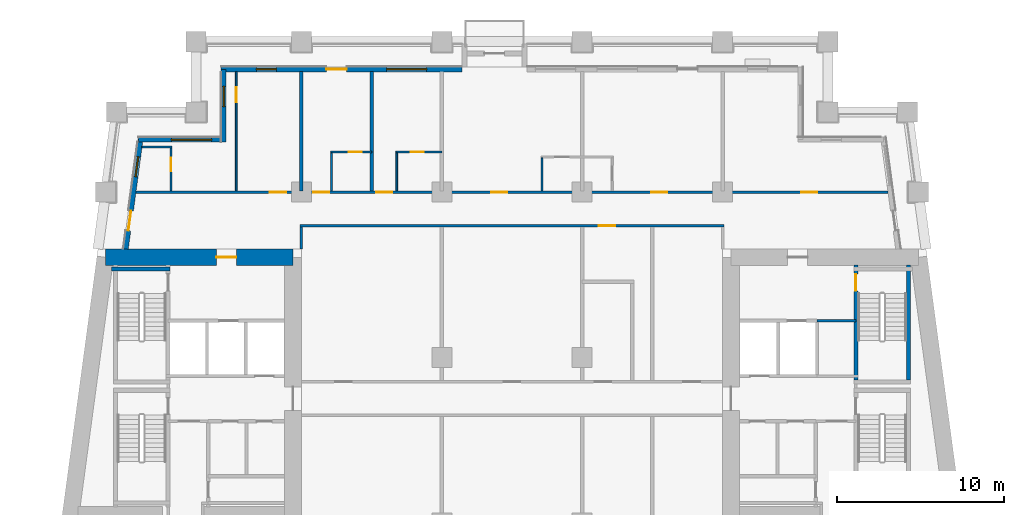
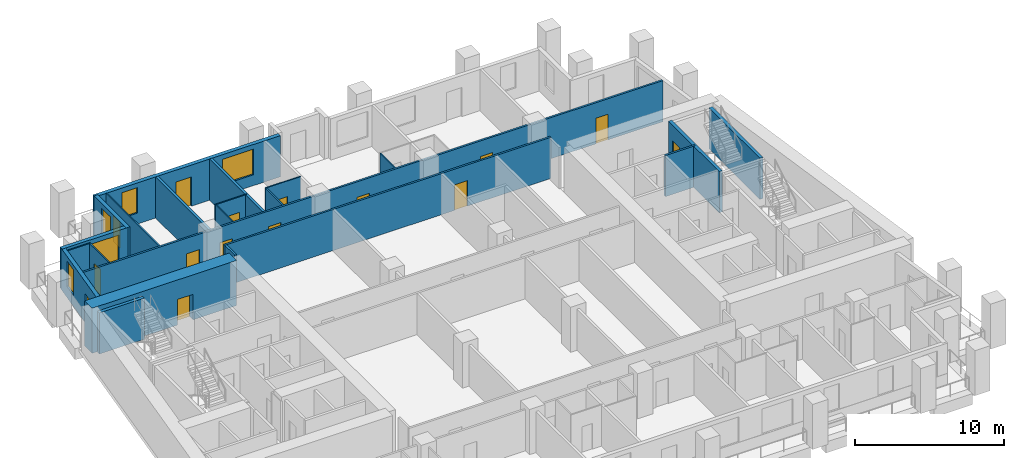
# One storey, part 6 of 13: 22 walls, 15 doors, 5 windows, 20 openings.
"""IFC4 building model written with IfcOpenShell, lengths in metres."""

from ifc_helpers import new_model, si_unit, direction, frame, frame_2d, origin, place, context, subcontext, project, spatial, rectangle, extrude, material, layer, layer_set, type_object, element, fill, save


model = new_model("IFC4")

# Units and contexts
model_context = context("Model", 3, precision=1e-05, world=origin(), true_north=direction((0.0, 1.0)))
body_context = subcontext(model_context, "Body", "Model", "MODEL_VIEW")
ifc_project = project(units=[si_unit("LENGTHUNIT", "METRE"), si_unit("AREAUNIT", "SQUARE_METRE"), si_unit("VOLUMEUNIT", "CUBIC_METRE"), si_unit("PLANEANGLEUNIT", "RADIAN"), si_unit("MASSUNIT", "GRAM", prefix="KILO")], contexts=[model_context])

# Site, building, storey
site_placement = place(None, origin())
site = spatial("IfcSite", under=ifc_project, at=site_placement, CompositionType="ELEMENT")
building_placement = place(site_placement, origin())
building = spatial("IfcBuilding", under=site, at=building_placement, Name="Candeia Pilgrim Tower and Theatre", CompositionType="ELEMENT")
storey_placement = place(building_placement, frame((0.0, 0.0, 128.0)))
storey = spatial("IfcBuildingStorey", under=building, at=storey_placement, Name="L30", CompositionType="ELEMENT", Elevation=128.0)

# Wall, opening, door
ifc_material_1 = material(Name="Concrete C70/85", Category="concrete")
ifc_layer_1 = layer(ifc_material_1, 1.0)
ifc_layer_set_1 = layer_set([ifc_layer_1], Name="Core wall 1000 C70/85")
wall_type_1 = type_object("IfcWallType", Name="Core wall 1000 C70/85", PredefinedType="SHEAR", material=ifc_layer_set_1)
wall_1_placement = place(storey_placement, frame((89.06787109375, 131.89990234375, 0.0), z_axis=(0.0, 0.0, 1.0), x_axis=(1.0, 0.0, 0.0)))
wall_1 = element("IfcWall", 1, at=wall_1_placement, inside=storey, type_object=wall_type_1, Name="Core wall W1", PredefinedType="SHEAR", context=body_context, shape_type="SweptSolid", body=[
    extrude(rectangle(XDim=11.232177734375, YDim=1.0, at=frame_2d((5.6162109375, 0.0))), origin(), (0.0, 0.0, 1.0), 3.699951171875),
])
opening_1_placement = place(wall_1_placement, frame((6.6455078125, 0.0, 0.0)))
opening_1 = element("IfcOpeningElement", 2, at=opening_1_placement, cuts=wall_1, Name="Opening L30-D057", PredefinedType="OPENING", context=body_context, shape_type="SweptSolid", body=[
    extrude(rectangle(XDim=1.199951171875, YDim=2.10009765625, at=frame_2d((0.60009765625, 1.050048828125))), frame((0.0, 0.510009765625, 0.0), z_axis=(0.0, -1.0, 0.0), x_axis=(1.0, 0.0, 0.0)), (0.0, 0.0, 1.0), 1.02001953125),
])
ifc_material_2 = material(Name="Steel fire door set", Category="steel")
door_type_1 = type_object("IfcDoorType", Name="D-1200-FD60", OperationType="NOTDEFINED", PredefinedType="DOOR", material=ifc_material_2)
door_1_placement = place(opening_1_placement, origin())
door_1 = element("IfcDoor", 3, at=door_1_placement, inside=storey, type_object=door_type_1, Name="Door L30-D057", OperationType="SINGLE_SWING_LEFT", OverallHeight=2.10009765625, OverallWidth=1.199951171875, PredefinedType="DOOR", context=body_context, shape_type="SweptSolid", body=[
    extrude(rectangle(XDim=1.199951171875, YDim=2.10009765625, at=frame_2d((0.60009765625, 1.050048828125))), frame((0.0, 0.02490234375, 0.0), z_axis=(0.0, -1.0, 0.0), x_axis=(1.0, 0.0, 0.0)), (0.0, 0.0, 1.0), 0.050048828125),
])
fill(opening_1, door_1)

# Wall, openings, door, windows
ifc_material_3 = material(Name="Ceramic block masonry", Category="masonry")
ifc_layer_2 = layer(ifc_material_3, 0.300048828125)
ifc_layer_set_2 = layer_set([ifc_layer_2], Name="EW1 glazing-line wall 300")
wall_type_2 = type_object("IfcWallType", Name="EW1 glazing-line wall 300", PredefinedType="SOLIDWALL", material=ifc_layer_set_2)
wall_2_placement = place(storey_placement, frame((110.39990234375, 143.14990234375, 0.0), z_axis=(0.0, 0.0, 1.0), x_axis=(-1.0, 0.0, 0.0)))
wall_2 = element("IfcWall", 4, at=wall_2_placement, inside=storey, type_object=wall_type_2, Name="External wall L30-6.1", PredefinedType="SOLIDWALL", context=body_context, shape_type="SweptSolid", body=[
    extrude(rectangle(XDim=14.39990234375, YDim=0.300048828125, at=frame_2d((7.199951171875, 0.0))), origin(), (0.0, 0.0, 1.0), 3.3798828125),
])
opening_2_placement = place(wall_2_placement, frame((2.10009765625, 0.0, 0.89990234375)))
opening_2 = element("IfcOpeningElement", 5, at=opening_2_placement, cuts=wall_2, Name="Opening W-A", PredefinedType="OPENING", context=body_context, shape_type="SweptSolid", body=[
    extrude(rectangle(XDim=2.39990234375, YDim=2.10009765625, at=frame_2d((1.199951171875, 1.050048828125))), frame((0.0, 0.16015625, 0.0), z_axis=(0.0, -1.0, 0.0), x_axis=(1.0, 0.0, 0.0)), (0.0, 0.0, 1.0), 0.320068359375),
])
opening_3_placement = place(wall_2_placement, frame((6.89990234375, 0.0, 0.0)))
opening_3 = element("IfcOpeningElement", 6, at=opening_3_placement, cuts=wall_2, Name="Opening L30-ED305", PredefinedType="OPENING", context=body_context, shape_type="SweptSolid", body=[
    extrude(rectangle(XDim=1.199951171875, YDim=2.39990234375, at=frame_2d((0.60009765625, 1.199951171875))), frame((0.0, 0.16015625, 0.0), z_axis=(0.0, -1.0, 0.0), x_axis=(1.0, 0.0, 0.0)), (0.0, 0.0, 1.0), 0.320068359375),
])
opening_4_placement = place(wall_2_placement, frame((11.10009765625, 0.0, 0.89990234375)))
opening_4 = element("IfcOpeningElement", 7, at=opening_4_placement, cuts=wall_2, Name="Opening W-B", PredefinedType="OPENING", context=body_context, shape_type="SweptSolid", body=[
    extrude(rectangle(XDim=1.199951171875, YDim=2.10009765625, at=frame_2d((0.60009765625, 1.050048828125))), frame((0.0, 0.16015625, 0.0), z_axis=(0.0, -1.0, 0.0), x_axis=(1.0, 0.0, 0.0)), (0.0, 0.0, 1.0), 0.320068359375),
])
ifc_material_4 = material(Name="Aluminium framed glazed door", Category="aluminium")
door_type_2 = type_object("IfcDoorType", Name="Loggia door 1200x2400", OperationType="DOUBLE_DOOR_SINGLE_SWING", PredefinedType="DOOR", material=ifc_material_4)
door_2_placement = place(opening_3_placement, origin())
door_2 = element("IfcDoor", 8, at=door_2_placement, inside=storey, type_object=door_type_2, Name="Loggia door L30-ED305", OperationType="DOUBLE_DOOR_SINGLE_SWING", OverallHeight=2.39990234375, OverallWidth=1.199951171875, PredefinedType="DOOR", context=body_context, shape_type="SweptSolid", body=[
    extrude(rectangle(XDim=1.199951171875, YDim=2.39990234375, at=frame_2d((0.60009765625, 1.199951171875))), frame((0.0, 0.02490234375, 0.0), z_axis=(0.0, -1.0, 0.0), x_axis=(1.0, 0.0, 0.0)), (0.0, 0.0, 1.0), 0.050048828125),
])
fill(opening_3, door_2)
ifc_material_5 = material(Name="Aluminium framed double glazing", Category="aluminium")
window_type_1 = type_object("IfcWindowType", Name="W-A window 2400x2100", PartitioningType="DOUBLE_PANEL_VERTICAL", PredefinedType="WINDOW", material=ifc_material_5)
window_1_placement = place(opening_2_placement, origin())
window_1 = element("IfcWindow", 9, at=window_1_placement, inside=storey, type_object=window_type_1, Name="Window W-A L30", OverallHeight=2.10009765625, OverallWidth=2.39990234375, PartitioningType="SINGLE_PANEL", PredefinedType="WINDOW", context=body_context, shape_type="SweptSolid", body=[
    extrude(rectangle(XDim=2.39990234375, YDim=2.10009765625, at=frame_2d((1.199951171875, 1.050048828125))), frame((0.0, 0.030029296875, 0.0), z_axis=(0.0, -1.0, 0.0), x_axis=(1.0, 0.0, 0.0)), (0.0, 0.0, 1.0), 0.06005859375),
])
fill(opening_2, window_1)
window_type_2 = type_object("IfcWindowType", Name="W-B window 1200x2100", PartitioningType="SINGLE_PANEL", PredefinedType="WINDOW", material=ifc_material_5)
window_2_placement = place(opening_4_placement, origin())
window_2 = element("IfcWindow", 10, at=window_2_placement, inside=storey, type_object=window_type_2, Name="Window W-B L30", OverallHeight=2.10009765625, OverallWidth=1.199951171875, PartitioningType="SINGLE_PANEL", PredefinedType="WINDOW", context=body_context, shape_type="SweptSolid", body=[
    extrude(rectangle(XDim=1.199951171875, YDim=2.10009765625, at=frame_2d((0.60009765625, 1.050048828125))), frame((0.0, 0.030029296875, 0.0), z_axis=(0.0, -1.0, 0.0), x_axis=(1.0, 0.0, 0.0)), (0.0, 0.0, 1.0), 0.06005859375),
])
fill(opening_4, window_2)

# Wall, opening, window
wall_3_placement = place(storey_placement, frame((96.14990234375, 143.14990234375, 0.0), z_axis=(0.0, 0.0, 1.0), x_axis=(0.0, -1.0, 0.0)))
wall_3 = element("IfcWall", 11, at=wall_3_placement, inside=storey, type_object=wall_type_2, Name="External wall L30-7.0", PredefinedType="SOLIDWALL", context=body_context, shape_type="SweptSolid", body=[
    extrude(rectangle(XDim=4.349853515625, YDim=0.300048828125, at=frame_2d((2.1748046875, 0.0))), origin(), (0.0, 0.0, 1.0), 3.3798828125),
])
opening_5_placement = place(wall_3_placement, frame((1.02490234375, 0.0, 0.89990234375)))
opening_5 = element("IfcOpeningElement", 12, at=opening_5_placement, cuts=wall_3, Name="Opening W-B", PredefinedType="OPENING", context=body_context, shape_type="SweptSolid", body=[
    extrude(rectangle(XDim=1.199951171875, YDim=2.10009765625, at=frame_2d((0.60009765625, 1.050048828125))), frame((0.0, 0.16015625, 0.0), z_axis=(0.0, -1.0, 0.0), x_axis=(1.0, 0.0, 0.0)), (0.0, 0.0, 1.0), 0.320068359375),
])
window_3_placement = place(opening_5_placement, origin())
window_3 = element("IfcWindow", 13, at=window_3_placement, inside=storey, type_object=window_type_2, Name="Window W-B L30", OverallHeight=2.10009765625, OverallWidth=1.199951171875, PartitioningType="SINGLE_PANEL", PredefinedType="WINDOW", context=body_context, shape_type="SweptSolid", body=[
    extrude(rectangle(XDim=1.199951171875, YDim=2.10009765625, at=frame_2d((0.60009765625, 1.050048828125))), frame((0.0, 0.030029296875, 0.0), z_axis=(0.0, -1.0, 0.0), x_axis=(1.0, 0.0, 0.0)), (0.0, 0.0, 1.0), 0.06005859375),
])
fill(opening_5, window_3)

wall_4_placement = place(storey_placement, frame((96.14990234375, 138.949951171875, 0.0), z_axis=(0.0, 0.0, 1.0), x_axis=(-1.0, 0.0, 0.0)))
wall_4 = element("IfcWall", 14, at=wall_4_placement, inside=storey, type_object=wall_type_2, Name="External wall L30-8.0", PredefinedType="SOLIDWALL", context=body_context, shape_type="SweptSolid", body=[
    extrude(rectangle(XDim=5.103759765625, YDim=0.300048828125, at=frame_2d((2.5517578125, 0.0))), origin(), (0.0, 0.0, 1.0), 3.3798828125),
])
opening_6_placement = place(wall_4_placement, frame((0.72509765625, 0.0, 0.89990234375)))
opening_6 = element("IfcOpeningElement", 15, at=opening_6_placement, cuts=wall_4, Name="Opening W-A", PredefinedType="OPENING", context=body_context, shape_type="SweptSolid", body=[
    extrude(rectangle(XDim=2.39990234375, YDim=2.10009765625, at=frame_2d((1.199951171875, 1.050048828125))), frame((0.0, 0.16015625, 0.0), z_axis=(0.0, -1.0, 0.0), x_axis=(1.0, 0.0, 0.0)), (0.0, 0.0, 1.0), 0.320068359375),
])
window_4_placement = place(opening_6_placement, origin())
window_4 = element("IfcWindow", 16, at=window_4_placement, inside=storey, type_object=window_type_1, Name="Window W-A L30", OverallHeight=2.10009765625, OverallWidth=2.39990234375, PartitioningType="SINGLE_PANEL", PredefinedType="WINDOW", context=body_context, shape_type="SweptSolid", body=[
    extrude(rectangle(XDim=2.39990234375, YDim=2.10009765625, at=frame_2d((1.199951171875, 1.050048828125))), frame((0.0, 0.030029296875, 0.0), z_axis=(0.0, -1.0, 0.0), x_axis=(1.0, 0.0, 0.0)), (0.0, 0.0, 1.0), 0.06005859375),
])
fill(opening_6, window_4)

# Wall, openings, door, window
wall_5_placement = place(storey_placement, frame((91.177490234375, 138.949951171875, 0.0), z_axis=(0.0, 0.0, 1.0), x_axis=(-0.133426664613, -0.991058689065, 0.0)))
wall_5 = element("IfcWall", 17, at=wall_5_placement, inside=storey, type_object=wall_type_2, Name="External wall L30-9.0", PredefinedType="SOLIDWALL", context=body_context, shape_type="SweptSolid", body=[
    extrude(rectangle(XDim=6.609130859375, YDim=0.300048828125, at=frame_2d((3.3046875, 0.0))), origin(), (0.0, 0.0, 1.0), 3.3798828125),
])
opening_7_placement = place(wall_5_placement, frame((1.039306640625, 0.0, 0.89990234375)))
opening_7 = element("IfcOpeningElement", 18, at=opening_7_placement, cuts=wall_5, Name="Opening W-B", PredefinedType="OPENING", context=body_context, shape_type="SweptSolid", body=[
    extrude(rectangle(XDim=1.199951171875, YDim=2.10009765625, at=frame_2d((0.60009765625, 1.050048828125))), frame((0.0, 0.16015625, 0.0), z_axis=(0.0, -1.0, 0.0), x_axis=(1.0, 0.0, 0.0)), (0.0, 0.0, 1.0), 0.320068359375),
])
opening_8_placement = place(wall_5_placement, frame((4.293701171875, 0.0, 0.0)))
opening_8 = element("IfcOpeningElement", 19, at=opening_8_placement, cuts=wall_5, Name="Opening L30-ED307", PredefinedType="OPENING", context=body_context, shape_type="SweptSolid", body=[
    extrude(rectangle(XDim=1.199951171875, YDim=2.39990234375, at=frame_2d((0.60009765625, 1.199951171875))), frame((0.0, 0.16015625, 0.0), z_axis=(0.0, -1.0, 0.0), x_axis=(1.0, 0.0, 0.0)), (0.0, 0.0, 1.0), 0.320068359375),
])
door_3_placement = place(opening_8_placement, origin())
door_3 = element("IfcDoor", 20, at=door_3_placement, inside=storey, type_object=door_type_2, Name="Loggia door L30-ED307", OperationType="DOUBLE_DOOR_SINGLE_SWING", OverallHeight=2.39990234375, OverallWidth=1.199951171875, PredefinedType="DOOR", context=body_context, shape_type="SweptSolid", body=[
    extrude(rectangle(XDim=1.199951171875, YDim=2.39990234375, at=frame_2d((0.60009765625, 1.199951171875))), frame((0.0, 0.02490234375, 0.0), z_axis=(0.0, -1.0, 0.0), x_axis=(1.0, 0.0, 0.0)), (0.0, 0.0, 1.0), 0.050048828125),
])
fill(opening_8, door_3)
window_5_placement = place(opening_7_placement, origin())
window_5 = element("IfcWindow", 21, at=window_5_placement, inside=storey, type_object=window_type_2, Name="Window W-B L30", OverallHeight=2.10009765625, OverallWidth=1.199951171875, PartitioningType="SINGLE_PANEL", PredefinedType="WINDOW", context=body_context, shape_type="SweptSolid", body=[
    extrude(rectangle(XDim=1.199951171875, YDim=2.10009765625, at=frame_2d((0.60009765625, 1.050048828125))), frame((0.0, 0.030029296875, 0.0), z_axis=(0.0, -1.0, 0.0), x_axis=(1.0, 0.0, 0.0)), (0.0, 0.0, 1.0), 0.06005859375),
])
fill(opening_7, window_5)

# Wall, opening, door
ifc_material_6 = material(Name="Gypsum board partition on steel studs", Category="steel")
ifc_layer_3 = layer(ifc_material_6, 0.10009765625)
ifc_layer_set_3 = layer_set([ifc_layer_3], Name="PW-100 room partition")
wall_type_3 = type_object("IfcWallType", Name="PW-100 room partition", PredefinedType="PARTITIONING", material=ifc_layer_set_3)
wall_6_placement = place(storey_placement, frame((102.550048828125, 138.199951171875, 0.0), z_axis=(0.0, 0.0, 1.0), x_axis=(1.0, 0.0, 0.0)))
wall_6 = element("IfcWall", 22, at=wall_6_placement, inside=storey, type_object=wall_type_3, Name="Room partition L30-045", PredefinedType="PARTITIONING", context=body_context, shape_type="SweptSolid", body=[
    extrude(rectangle(XDim=2.449951171875, YDim=0.10009765625, at=frame_2d((1.22509765625, 0.0))), origin(), (0.0, 0.0, 1.0), 3.3798828125),
])
opening_9_placement = place(wall_6_placement, frame((1.074951171875, 0.0, 0.0)))
opening_9 = element("IfcOpeningElement", 23, at=opening_9_placement, cuts=wall_6, Name="Opening L30-D039", PredefinedType="OPENING", context=body_context, shape_type="SweptSolid", body=[
    extrude(rectangle(XDim=0.800048828125, YDim=2.10009765625, at=frame_2d((0.39990234375, 1.050048828125))), frame((0.0, 0.06005859375, 0.0), z_axis=(0.0, -1.0, 0.0), x_axis=(1.0, 0.0, 0.0)), (0.0, 0.0, 1.0), 0.1201171875),
])
ifc_material_7 = material(Name="Timber door leaf", Category="wood")
door_type_3 = type_object("IfcDoorType", Name="D-800", OperationType="NOTDEFINED", PredefinedType="DOOR", material=ifc_material_7)
door_4_placement = place(opening_9_placement, origin())
door_4 = element("IfcDoor", 24, at=door_4_placement, inside=storey, type_object=door_type_3, Name="Door L30-D039", OperationType="SINGLE_SWING_LEFT", OverallHeight=2.10009765625, OverallWidth=0.800048828125, PredefinedType="DOOR", context=body_context, shape_type="SweptSolid", body=[
    extrude(rectangle(XDim=0.800048828125, YDim=2.10009765625, at=frame_2d((0.39990234375, 1.050048828125))), frame((0.0, 0.02490234375, 0.0), z_axis=(0.0, -1.0, 0.0), x_axis=(1.0, 0.0, 0.0)), (0.0, 0.0, 1.0), 0.050048828125),
])
fill(opening_9, door_4)

wall_7_placement = place(storey_placement, frame((106.449951171875, 138.199951171875, 0.0), z_axis=(0.0, 0.0, 1.0), x_axis=(1.0, 0.0, 0.0)))
wall_7 = element("IfcWall", 25, at=wall_7_placement, inside=storey, type_object=wall_type_3, Name="Room partition L30-046", PredefinedType="PARTITIONING", context=body_context, shape_type="SweptSolid", body=[
    extrude(rectangle(XDim=2.75, YDim=0.10009765625, at=frame_2d((1.375, 0.0))), origin(), (0.0, 0.0, 1.0), 3.3798828125),
])
opening_10_placement = place(wall_7_placement, frame((0.8798828125, 0.0, 0.0)))
opening_10 = element("IfcOpeningElement", 26, at=opening_10_placement, cuts=wall_7, Name="Opening L30-D041", PredefinedType="OPENING", context=body_context, shape_type="SweptSolid", body=[
    extrude(rectangle(XDim=0.800048828125, YDim=2.10009765625, at=frame_2d((0.39990234375, 1.050048828125))), frame((0.0, 0.06005859375, 0.0), z_axis=(0.0, -1.0, 0.0), x_axis=(1.0, 0.0, 0.0)), (0.0, 0.0, 1.0), 0.1201171875),
])
door_5_placement = place(opening_10_placement, origin())
door_5 = element("IfcDoor", 27, at=door_5_placement, inside=storey, type_object=door_type_3, Name="Door L30-D041", OperationType="SINGLE_SWING_LEFT", OverallHeight=2.10009765625, OverallWidth=0.800048828125, PredefinedType="DOOR", context=body_context, shape_type="SweptSolid", body=[
    extrude(rectangle(XDim=0.800048828125, YDim=2.10009765625, at=frame_2d((0.39990234375, 1.050048828125))), frame((0.0, 0.02490234375, 0.0), z_axis=(0.0, -1.0, 0.0), x_axis=(1.0, 0.0, 0.0)), (0.0, 0.0, 1.0), 0.050048828125),
])
fill(opening_10, door_5)

# Wall
wall_8_placement = place(storey_placement, frame((91.258056640625, 138.5, 0.0), z_axis=(0.0, 0.0, 1.0), x_axis=(1.0, 0.0, 0.0)))
element("IfcWall", 28, at=wall_8_placement, inside=storey, type_object=wall_type_3, Name="Room partition L30-047", PredefinedType="PARTITIONING", context=body_context, shape_type="SweptSolid", body=[
    extrude(rectangle(XDim=1.7919921875, YDim=0.10009765625, at=frame_2d((0.89599609375, 0.0))), origin(), (0.0, 0.0, 1.0), 3.3798828125),
])

# Wall, opening, door
wall_9_placement = place(storey_placement, frame((93.0, 135.875, 0.0), z_axis=(0.0, 0.0, 1.0), x_axis=(0.0, 1.0, 0.0)))
wall_9 = element("IfcWall", 29, at=wall_9_placement, inside=storey, type_object=wall_type_3, Name="Room partition L30-060", PredefinedType="PARTITIONING", context=body_context, shape_type="SweptSolid", body=[
    extrude(rectangle(XDim=2.574951171875, YDim=0.10009765625, at=frame_2d((1.28759765625, 0.0))), origin(), (0.0, 0.0, 1.0), 3.3798828125),
])
opening_11_placement = place(wall_9_placement, frame((1.175048828125, 0.0, 0.0)))
opening_11 = element("IfcOpeningElement", 30, at=opening_11_placement, cuts=wall_9, Name="Opening L30-D037", PredefinedType="OPENING", context=body_context, shape_type="SweptSolid", body=[
    extrude(rectangle(XDim=0.800048828125, YDim=2.10009765625, at=frame_2d((0.39990234375, 1.050048828125))), frame((0.0, 0.06005859375, 0.0), z_axis=(0.0, -1.0, 0.0), x_axis=(1.0, 0.0, 0.0)), (0.0, 0.0, 1.0), 0.1201171875),
])
door_6_placement = place(opening_11_placement, origin())
door_6 = element("IfcDoor", 31, at=door_6_placement, inside=storey, type_object=door_type_3, Name="Door L30-D037", OperationType="SINGLE_SWING_LEFT", OverallHeight=2.10009765625, OverallWidth=0.800048828125, PredefinedType="DOOR", context=body_context, shape_type="SweptSolid", body=[
    extrude(rectangle(XDim=0.800048828125, YDim=2.10009765625, at=frame_2d((0.39990234375, 1.050048828125))), frame((0.0, 0.02490234375, 0.0), z_axis=(0.0, -1.0, 0.0), x_axis=(1.0, 0.0, 0.0)), (0.0, 0.0, 1.0), 0.050048828125),
])
fill(opening_11, door_6)

wall_10_placement = place(storey_placement, frame((96.89990234375, 135.875, 0.0), z_axis=(0.0, 0.0, 1.0), x_axis=(0.0, 1.0, 0.0)))
wall_10 = element("IfcWall", 32, at=wall_10_placement, inside=storey, type_object=wall_type_3, Name="Room partition L30-066", PredefinedType="PARTITIONING", context=body_context, shape_type="SweptSolid", body=[
    extrude(rectangle(XDim=7.135009765625, YDim=0.10009765625, at=frame_2d((3.5673828125, 0.0))), origin(), (0.0, 0.0, 1.0), 3.3798828125),
])
opening_12_placement = place(wall_10_placement, frame((5.2900390625, 0.0, 0.0)))
opening_12 = element("IfcOpeningElement", 33, at=opening_12_placement, cuts=wall_10, Name="Opening L30-D036", PredefinedType="OPENING", context=body_context, shape_type="SweptSolid", body=[
    extrude(rectangle(XDim=0.89990234375, YDim=2.10009765625, at=frame_2d((0.449951171875, 1.050048828125))), frame((0.0, 0.06005859375, 0.0), z_axis=(0.0, -1.0, 0.0), x_axis=(1.0, 0.0, 0.0)), (0.0, 0.0, 1.0), 0.1201171875),
])
door_type_4 = type_object("IfcDoorType", Name="D-900", OperationType="NOTDEFINED", PredefinedType="DOOR", material=ifc_material_7)
door_7_placement = place(opening_12_placement, origin())
door_7 = element("IfcDoor", 34, at=door_7_placement, inside=storey, type_object=door_type_4, Name="Door L30-D036", OperationType="SINGLE_SWING_RIGHT", OverallHeight=2.10009765625, OverallWidth=0.89990234375, PredefinedType="DOOR", context=body_context, shape_type="SweptSolid", body=[
    extrude(rectangle(XDim=0.89990234375, YDim=2.10009765625, at=frame_2d((0.449951171875, 1.050048828125))), frame((0.0, 0.02490234375, 0.0), z_axis=(0.0, -1.0, 0.0), x_axis=(1.0, 0.0, 0.0)), (0.0, 0.0, 1.0), 0.050048828125),
])
fill(opening_12, door_7)

# Walls
for number, where, z_axis, x_axis, name in (
    (35, (102.60009765625, 135.875, 0.0), (0.0, 0.0, 1.0), (0.0, 1.0, 0.0), "Room partition L30-075"),
    (36, (106.5, 135.875, 0.0), (0.0, 0.0, 1.0), (0.0, 1.0, 0.0), "Room partition L30-077"),
):
    element("IfcWall", number, at=place(storey_placement, frame(where, z_axis=z_axis, x_axis=x_axis)), inside=storey, type_object=wall_type_3, Name=name, PredefinedType="PARTITIONING", context=body_context, shape_type="SweptSolid", body=[
        extrude(rectangle(XDim=2.27490234375, YDim=0.10009765625, at=frame_2d((1.137451171875, 0.0))), origin(), (0.0, 0.0, 1.0), 3.3798828125),
    ])
wall_11_placement = place(storey_placement, frame((115.199951171875, 135.875, 0.0), z_axis=(0.0, 0.0, 1.0), x_axis=(0.0, 1.0, 0.0)))
element("IfcWall", 37, at=wall_11_placement, inside=storey, type_object=wall_type_3, Name="Room partition L30-084", PredefinedType="PARTITIONING", context=body_context, shape_type="SweptSolid", body=[
    extrude(rectangle(XDim=1.97509765625, YDim=0.10009765625, at=frame_2d((0.987548828125, 0.0))), origin(), (0.0, 0.0, 1.0), 3.3798828125),
])
ifc_layer_4 = layer(ifc_material_6, 0.14990234375)
ifc_layer_set_4 = layer_set([ifc_layer_4], Name="PW-150 lobby wall")
wall_type_4 = type_object("IfcWallType", Name="PW-150 lobby wall", PredefinedType="PARTITIONING", material=ifc_layer_set_4)
wall_12_placement = place(storey_placement, frame((131.648681640625, 128.10009765625, 0.0), z_axis=(0.0, 0.0, 1.0), x_axis=(1.0, 0.0, 0.0)))
element("IfcWall", 38, at=wall_12_placement, inside=storey, type_object=wall_type_4, Name="Lobby wall L30-038", PredefinedType="PARTITIONING", context=body_context, shape_type="SweptSolid", body=[
    extrude(rectangle(XDim=2.32421875, YDim=0.14990234375, at=frame_2d((1.162109375, 0.0))), origin(), (0.0, 0.0, 1.0), 3.3798828125),
])

# Wall, opening, door
ifc_layer_5 = layer(ifc_material_6, 0.14990234375)
ifc_layer_set_5 = layer_set([ifc_layer_5], Name="PW-150 unit wall")
wall_type_5 = type_object("IfcWallType", Name="PW-150 unit wall", PredefinedType="PARTITIONING", material=ifc_layer_set_5)
wall_13_placement = place(storey_placement, frame((100.72509765625, 133.800048828125, 0.0), z_axis=(0.0, 0.0, 1.0), x_axis=(1.0, 0.0, 0.0)))
wall_13 = element("IfcWall", 39, at=wall_13_placement, inside=storey, type_object=wall_type_5, Name="Unit wall L30-042", PredefinedType="PARTITIONING", context=body_context, shape_type="SweptSolid", body=[
    extrude(rectangle(XDim=25.349853515625, YDim=0.14990234375, at=frame_2d((12.6748046875, 0.0))), origin(), (0.0, 0.0, 1.0), 3.3798828125),
])
opening_13_placement = place(wall_13_placement, frame((17.85009765625, 0.0, 0.0)))
opening_13 = element("IfcOpeningElement", 40, at=opening_13_placement, cuts=wall_13, Name="Opening L30-D047", PredefinedType="OPENING", context=body_context, shape_type="SweptSolid", body=[
    extrude(rectangle(XDim=1.0, YDim=2.10009765625, at=frame_2d((0.5, 1.050048828125))), frame((0.0, 0.0849609375, 0.0), z_axis=(0.0, -1.0, 0.0), x_axis=(1.0, 0.0, 0.0)), (0.0, 0.0, 1.0), 0.169921875),
])
door_type_5 = type_object("IfcDoorType", Name="D-1000-FD30S", OperationType="NOTDEFINED", PredefinedType="DOOR", material=ifc_material_2)
door_8_placement = place(opening_13_placement, origin())
door_8 = element("IfcDoor", 41, at=door_8_placement, inside=storey, type_object=door_type_5, Name="Door L30-D047", OperationType="SINGLE_SWING_LEFT", OverallHeight=2.10009765625, OverallWidth=1.0, PredefinedType="DOOR", context=body_context, shape_type="SweptSolid", body=[
    extrude(rectangle(XDim=1.0, YDim=2.10009765625, at=frame_2d((0.5, 1.050048828125))), frame((0.0, 0.02490234375, 0.0), z_axis=(0.0, -1.0, 0.0), x_axis=(1.0, 0.0, 0.0)), (0.0, 0.0, 1.0), 0.050048828125),
])
fill(opening_13, door_8)

# Wall, openings, doors
wall_14_placement = place(storey_placement, frame((90.89453125, 135.800048828125, 0.0), z_axis=(0.0, 0.0, 1.0), x_axis=(1.0, 0.0, 0.0)))
wall_14 = element("IfcWall", 42, at=wall_14_placement, inside=storey, type_object=wall_type_5, Name="Unit wall L30-043", PredefinedType="PARTITIONING", context=body_context, shape_type="SweptSolid", body=[
    extrude(rectangle(XDim=45.010986328125, YDim=0.14990234375, at=frame_2d((22.50537109375, 0.0))), origin(), (0.0, 0.0, 1.0), 3.3798828125),
])
opening_14_placement = place(wall_14_placement, frame((8.00537109375, 0.0, 0.0)))
opening_14 = element("IfcOpeningElement", 43, at=opening_14_placement, cuts=wall_14, Name="Opening L30-D035", PredefinedType="OPENING", context=body_context, shape_type="SweptSolid", body=[
    extrude(rectangle(XDim=1.0, YDim=2.10009765625, at=frame_2d((0.5, 1.050048828125))), frame((0.0, 0.0849609375, 0.0), z_axis=(0.0, -1.0, 0.0), x_axis=(1.0, 0.0, 0.0)), (0.0, 0.0, 1.0), 0.169921875),
])
opening_15_placement = place(wall_14_placement, frame((10.62548828125, 0.0, 0.0)))
opening_15 = element("IfcOpeningElement", 44, at=opening_15_placement, cuts=wall_14, Name="Opening L30-D038", PredefinedType="OPENING", context=body_context, shape_type="SweptSolid", body=[
    extrude(rectangle(XDim=0.949951171875, YDim=2.10009765625, at=frame_2d((0.47509765625, 1.050048828125))), frame((0.0, 0.0849609375, 0.0), z_axis=(0.0, -1.0, 0.0), x_axis=(1.0, 0.0, 0.0)), (0.0, 0.0, 1.0), 0.169921875),
])
opening_16_placement = place(wall_14_placement, frame((14.38037109375, 0.0, 0.0)))
opening_16 = element("IfcOpeningElement", 45, at=opening_16_placement, cuts=wall_14, Name="Opening L30-D040", PredefinedType="OPENING", context=body_context, shape_type="SweptSolid", body=[
    extrude(rectangle(XDim=0.949951171875, YDim=2.10009765625, at=frame_2d((0.47509765625, 1.050048828125))), frame((0.0, 0.0849609375, 0.0), z_axis=(0.0, -1.0, 0.0), x_axis=(1.0, 0.0, 0.0)), (0.0, 0.0, 1.0), 0.169921875),
])
opening_17_placement = place(wall_14_placement, frame((21.265380859375, 0.0, 0.0)))
opening_17 = element("IfcOpeningElement", 46, at=opening_17_placement, cuts=wall_14, Name="Opening L30-D042", PredefinedType="OPENING", context=body_context, shape_type="SweptSolid", body=[
    extrude(rectangle(XDim=0.949951171875, YDim=2.10009765625, at=frame_2d((0.47509765625, 1.050048828125))), frame((0.0, 0.0849609375, 0.0), z_axis=(0.0, -1.0, 0.0), x_axis=(1.0, 0.0, 0.0)), (0.0, 0.0, 1.0), 0.169921875),
])
opening_18_placement = place(wall_14_placement, frame((30.83544921875, 0.0, 0.0)))
opening_18 = element("IfcOpeningElement", 47, at=opening_18_placement, cuts=wall_14, Name="Opening L30-D044", PredefinedType="OPENING", context=body_context, shape_type="SweptSolid", body=[
    extrude(rectangle(XDim=0.949951171875, YDim=2.10009765625, at=frame_2d((0.47509765625, 1.050048828125))), frame((0.0, 0.0849609375, 0.0), z_axis=(0.0, -1.0, 0.0), x_axis=(1.0, 0.0, 0.0)), (0.0, 0.0, 1.0), 0.169921875),
])
opening_19_placement = place(wall_14_placement, frame((39.814453125, 0.0, 0.0)))
opening_19 = element("IfcOpeningElement", 48, at=opening_19_placement, cuts=wall_14, Name="Opening L30-D046", PredefinedType="OPENING", context=body_context, shape_type="SweptSolid", body=[
    extrude(rectangle(XDim=0.949951171875, YDim=2.10009765625, at=frame_2d((0.47509765625, 1.050048828125))), frame((0.0, 0.0849609375, 0.0), z_axis=(0.0, -1.0, 0.0), x_axis=(1.0, 0.0, 0.0)), (0.0, 0.0, 1.0), 0.169921875),
])
door_9_placement = place(opening_14_placement, origin())
door_9 = element("IfcDoor", 49, at=door_9_placement, inside=storey, type_object=door_type_5, Name="Door L30-D035", OperationType="SINGLE_SWING_LEFT", OverallHeight=2.10009765625, OverallWidth=1.0, PredefinedType="DOOR", context=body_context, shape_type="SweptSolid", body=[
    extrude(rectangle(XDim=1.0, YDim=2.10009765625, at=frame_2d((0.5, 1.050048828125))), frame((0.0, 0.02490234375, 0.0), z_axis=(0.0, -1.0, 0.0), x_axis=(1.0, 0.0, 0.0)), (0.0, 0.0, 1.0), 0.050048828125),
])
fill(opening_14, door_9)
door_type_6 = type_object("IfcDoorType", Name="D-950-FD30S", OperationType="NOTDEFINED", PredefinedType="DOOR", material=ifc_material_2)
door_10_placement = place(opening_15_placement, origin())
door_10 = element("IfcDoor", 50, at=door_10_placement, inside=storey, type_object=door_type_6, Name="Door L30-D038", OperationType="SINGLE_SWING_RIGHT", OverallHeight=2.10009765625, OverallWidth=0.949951171875, PredefinedType="DOOR", context=body_context, shape_type="SweptSolid", body=[
    extrude(rectangle(XDim=0.949951171875, YDim=2.10009765625, at=frame_2d((0.47509765625, 1.050048828125))), frame((0.0, 0.02490234375, 0.0), z_axis=(0.0, -1.0, 0.0), x_axis=(1.0, 0.0, 0.0)), (0.0, 0.0, 1.0), 0.050048828125),
])
fill(opening_15, door_10)
door_11_placement = place(opening_16_placement, origin())
door_11 = element("IfcDoor", 51, at=door_11_placement, inside=storey, type_object=door_type_6, Name="Door L30-D040", OperationType="SINGLE_SWING_RIGHT", OverallHeight=2.10009765625, OverallWidth=0.949951171875, PredefinedType="DOOR", context=body_context, shape_type="SweptSolid", body=[
    extrude(rectangle(XDim=0.949951171875, YDim=2.10009765625, at=frame_2d((0.47509765625, 1.050048828125))), frame((0.0, 0.02490234375, 0.0), z_axis=(0.0, -1.0, 0.0), x_axis=(1.0, 0.0, 0.0)), (0.0, 0.0, 1.0), 0.050048828125),
])
fill(opening_16, door_11)
door_12_placement = place(opening_17_placement, origin())
door_12 = element("IfcDoor", 52, at=door_12_placement, inside=storey, type_object=door_type_6, Name="Door L30-D042", OperationType="SINGLE_SWING_RIGHT", OverallHeight=2.10009765625, OverallWidth=0.949951171875, PredefinedType="DOOR", context=body_context, shape_type="SweptSolid", body=[
    extrude(rectangle(XDim=0.949951171875, YDim=2.10009765625, at=frame_2d((0.47509765625, 1.050048828125))), frame((0.0, 0.02490234375, 0.0), z_axis=(0.0, -1.0, 0.0), x_axis=(1.0, 0.0, 0.0)), (0.0, 0.0, 1.0), 0.050048828125),
])
fill(opening_17, door_12)
door_13_placement = place(opening_18_placement, origin())
door_13 = element("IfcDoor", 53, at=door_13_placement, inside=storey, type_object=door_type_6, Name="Door L30-D044", OperationType="SINGLE_SWING_RIGHT", OverallHeight=2.10009765625, OverallWidth=0.949951171875, PredefinedType="DOOR", context=body_context, shape_type="SweptSolid", body=[
    extrude(rectangle(XDim=0.949951171875, YDim=2.10009765625, at=frame_2d((0.47509765625, 1.050048828125))), frame((0.0, 0.02490234375, 0.0), z_axis=(0.0, -1.0, 0.0), x_axis=(1.0, 0.0, 0.0)), (0.0, 0.0, 1.0), 0.050048828125),
])
fill(opening_18, door_13)
door_14_placement = place(opening_19_placement, origin())
door_14 = element("IfcDoor", 54, at=door_14_placement, inside=storey, type_object=door_type_6, Name="Door L30-D046", OperationType="SINGLE_SWING_RIGHT", OverallHeight=2.10009765625, OverallWidth=0.949951171875, PredefinedType="DOOR", context=body_context, shape_type="SweptSolid", body=[
    extrude(rectangle(XDim=0.949951171875, YDim=2.10009765625, at=frame_2d((0.47509765625, 1.050048828125))), frame((0.0, 0.02490234375, 0.0), z_axis=(0.0, -1.0, 0.0), x_axis=(1.0, 0.0, 0.0)), (0.0, 0.0, 1.0), 0.050048828125),
])
fill(opening_19, door_14)

# Walls
wall_15_placement = place(storey_placement, frame((100.800048828125, 132.39990234375, 0.0), z_axis=(0.0, 0.0, 1.0), x_axis=(0.0, 1.0, 0.0)))
element("IfcWall", 55, at=wall_15_placement, inside=storey, type_object=wall_type_5, Name="Unit wall L30-074", PredefinedType="PARTITIONING", context=body_context, shape_type="SweptSolid", body=[
    extrude(rectangle(XDim=1.3251953125, YDim=0.14990234375, at=frame_2d((0.66259765625, 0.0))), origin(), (0.0, 0.0, 1.0), 3.3798828125),
])
ifc_layer_6 = layer(ifc_material_6, 0.199951171875)
ifc_layer_set_6 = layer_set([ifc_layer_6], Name="PW-200 party wall")
wall_type_6 = type_object("IfcWallType", Name="PW-200 party wall", PredefinedType="PARTITIONING", material=ifc_layer_set_6)
for number, where, z_axis, x_axis, name in (
    (56, (100.800048828125, 135.875, 0.0), (0.0, 0.0, 1.0), (0.0, 1.0, 0.0), "Party wall L30-072"),
    (57, (105.0, 135.875, 0.0), (0.0, 0.0, 1.0), (0.0, 1.0, 0.0), "Party wall L30-076"),
):
    element("IfcWall", number, at=place(storey_placement, frame(where, z_axis=z_axis, x_axis=x_axis)), inside=storey, type_object=wall_type_6, Name=name, PredefinedType="PARTITIONING", context=body_context, shape_type="SweptSolid", body=[
        extrude(rectangle(XDim=7.135009765625, YDim=0.199951171875, at=frame_2d((3.5673828125, 0.0))), origin(), (0.0, 0.0, 1.0), 3.3798828125),
    ])
ifc_material_8 = material(Name="Concrete C40/50", Category="concrete")
ifc_layer_7 = layer(ifc_material_8, 0.25)
ifc_layer_set_7 = layer_set([ifc_layer_7], Name="SW-250 stair wall")
wall_type_7 = type_object("IfcWallType", Name="SW-250 stair wall", PredefinedType="PARTITIONING", material=ifc_layer_set_7)
wall_16_placement = place(storey_placement, frame((89.4482421875, 131.199951171875, 0.0), z_axis=(0.0, 0.0, 1.0), x_axis=(1.0, 0.0, 0.0)))
element("IfcWall", 58, at=wall_16_placement, inside=storey, type_object=wall_type_7, Name="Stair wall L30-040", PredefinedType="PARTITIONING", context=body_context, shape_type="SweptSolid", body=[
    extrude(rectangle(XDim=3.503662109375, YDim=0.25, at=frame_2d((1.751953125, 0.0))), origin(), (0.0, 0.0, 1.0), 3.3798828125),
])

# Wall, opening, door
wall_17_placement = place(storey_placement, frame((133.972900390625, 124.574951171875, 0.0), z_axis=(0.0, 0.0, 1.0), x_axis=(0.0, 1.0, 0.0)))
wall_17 = element("IfcWall", 59, at=wall_17_placement, inside=storey, type_object=wall_type_7, Name="Stair wall L30-113", PredefinedType="PARTITIONING", context=body_context, shape_type="SweptSolid", body=[
    extrude(rectangle(XDim=6.85498046875, YDim=0.25, at=frame_2d((3.427490234375, 0.0))), origin(), (0.0, 0.0, 1.0), 3.3798828125),
])
opening_20_placement = place(wall_17_placement, frame((5.324951171875, 0.0, 0.0)))
opening_20 = element("IfcOpeningElement", 60, at=opening_20_placement, cuts=wall_17, Name="Opening L30-D014", PredefinedType="OPENING", context=body_context, shape_type="SweptSolid", body=[
    extrude(rectangle(XDim=1.0, YDim=2.10009765625, at=frame_2d((0.5, 1.050048828125))), frame((0.0, 0.135009765625, 0.0), z_axis=(0.0, -1.0, 0.0), x_axis=(1.0, 0.0, 0.0)), (0.0, 0.0, 1.0), 0.27001953125),
])
door_type_7 = type_object("IfcDoorType", Name="D-1000-FD60", OperationType="NOTDEFINED", PredefinedType="DOOR", material=ifc_material_2)
door_15_placement = place(opening_20_placement, origin())
door_15 = element("IfcDoor", 61, at=door_15_placement, inside=storey, type_object=door_type_7, Name="Door L30-D014", OperationType="SINGLE_SWING_LEFT", OverallHeight=2.10009765625, OverallWidth=1.0, PredefinedType="DOOR", context=body_context, shape_type="SweptSolid", body=[
    extrude(rectangle(XDim=1.0, YDim=2.10009765625, at=frame_2d((0.5, 1.050048828125))), frame((0.0, 0.02490234375, 0.0), z_axis=(0.0, -1.0, 0.0), x_axis=(1.0, 0.0, 0.0)), (0.0, 0.0, 1.0), 0.050048828125),
])
fill(opening_20, door_15)

# Wall
wall_18_placement = place(storey_placement, frame((137.123046875, 124.574951171875, 0.0), z_axis=(0.0, 0.0, 1.0), x_axis=(0.0, 1.0, 0.0)))
element("IfcWall", 62, at=wall_18_placement, inside=storey, type_object=wall_type_7, Name="Stair wall L30-117", PredefinedType="PARTITIONING", context=body_context, shape_type="SweptSolid", body=[
    extrude(rectangle(XDim=6.85498046875, YDim=0.25, at=frame_2d((3.427490234375, 0.0))), origin(), (0.0, 0.0, 1.0), 3.3798828125),
])

save(model, "model.ifc")
